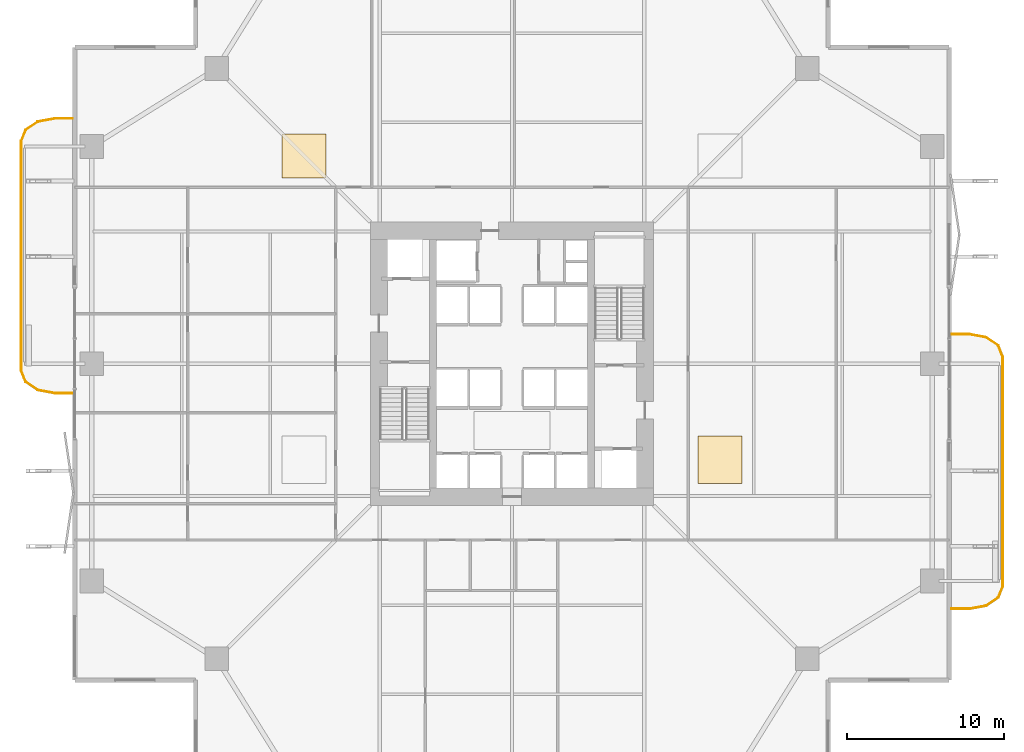
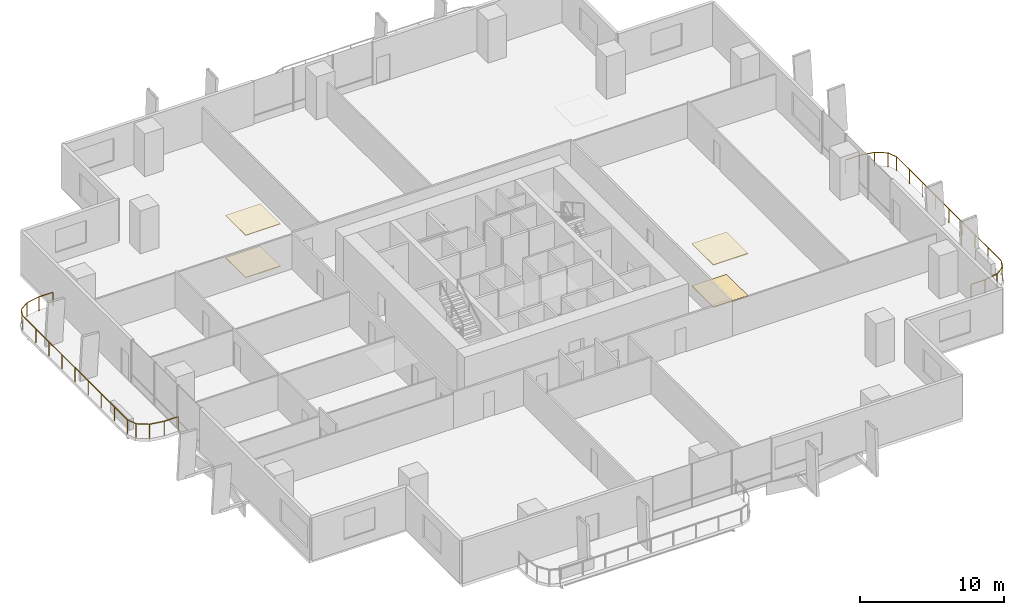
# One storey, part 22 of 23: 4 coverings, 2 railings.
"""IFC4 building model written with IfcOpenShell, lengths in metres."""

from ifc_helpers import new_model, si_unit, direction, frame, origin, origin_2d, place, context, subcontext, project, spatial, polyline, rectangle, outline, extrude, material, layer, layer_set, type_object, element, save


model = new_model("IFC4")

# Units and contexts
model_context = context("Model", 3, precision=1e-05, world=origin(), true_north=direction((0.0, 1.0)))
body_context = subcontext(model_context, "Body", "Model", "MODEL_VIEW")
ifc_project = project(units=[si_unit("LENGTHUNIT", "METRE"), si_unit("AREAUNIT", "SQUARE_METRE"), si_unit("VOLUMEUNIT", "CUBIC_METRE"), si_unit("PLANEANGLEUNIT", "RADIAN"), si_unit("MASSUNIT", "GRAM", prefix="KILO")], contexts=[model_context])

# Site, building, storey
site_placement = place(None, origin())
site = spatial("IfcSite", under=ifc_project, at=site_placement, CompositionType="ELEMENT")
building_placement = place(site_placement, origin())
building = spatial("IfcBuilding", under=site, at=building_placement, Name="Belovzor Exchange Tower", CompositionType="ELEMENT")
storey_placement = place(building_placement, frame((0.0, 0.0, 53.39990234375)))
storey = spatial("IfcBuildingStorey", under=building, at=storey_placement, Name="L12", CompositionType="ELEMENT", Elevation=53.39990234375)

# Railings
ifc_material_1 = material(Name="Stainless Steel and Laminated Safety Glass", Category="steel")
railing_type = type_object("IfcRailingType", Name="Laminated Glass & Stainless Steel Balcony Balustrade 1200", PredefinedType="BALUSTRADE", material=ifc_material_1)
railing_1_placement = place(storey_placement, frame((56.7099609375, 13.22998046875, 0.0)))
element("IfcRailing", 1, at=railing_1_placement, inside=storey, type_object=railing_type, Name="GR-1 Balcony Balustrade L12 East", PredefinedType="BALUSTRADE", context=body_context, shape_type="SweptSolid", body=[
    extrude(rectangle(XDim=0.048095703125, YDim=0.048095703125, at=origin_2d()), frame((0.0, 0.0, 1.17578125), z_axis=(1.0, 0.0, 0.0), x_axis=(0.0, 1.0, 0.0)), (0.0, 0.0, 1.0), 1.133056640625),
    extrude(rectangle(XDim=0.048095703125, YDim=0.048095703125, at=origin_2d()), frame((1.133056640625, 0.0, 1.17578125), z_axis=(0.983644145941, 0.180122719713, 0.0), x_axis=(-0.180122719713, 0.983644145941, 0.0)), (0.0, 0.0, 1.0), 1.09375),
    extrude(rectangle(XDim=0.048095703125, YDim=0.048095703125, at=origin_2d()), frame((2.208984375, 0.197021484375, 1.17578125), z_axis=(0.826614792125, 0.562768145367, 0.0), x_axis=(-0.562768145367, 0.826614792125, 0.0)), (0.0, 0.0, 1.0), 0.9326171875),
    extrude(rectangle(XDim=0.048095703125, YDim=0.048095703125, at=origin_2d()), frame((2.97998046875, 0.721923828125, 1.17578125), z_axis=(0.365504480807, 0.930809580156, 0.0), x_axis=(-0.930809580156, 0.365504480807, 0.0)), (0.0, 0.0, 1.0), 0.76611328125),
    extrude(rectangle(XDim=0.048095703125, YDim=0.048095703125, at=origin_2d()), frame((3.260009765625, 1.43505859375, 1.17578125), z_axis=(0.0, 1.0, 0.0), x_axis=(-1.0, 0.0, 0.0)), (0.0, 0.0, 1.0), 14.570068359375),
    extrude(rectangle(XDim=0.048095703125, YDim=0.048095703125, at=origin_2d()), frame((3.260009765625, 16.005126953125, 1.17578125), z_axis=(-0.365612923861, 0.930766990125, 0.0), x_axis=(-0.930766990125, -0.365612923861, 0.0)), (0.0, 0.0, 1.0), 0.765869140625),
    extrude(rectangle(XDim=0.048095703125, YDim=0.048095703125, at=origin_2d()), frame((2.97998046875, 16.718017578125, 1.17578125), z_axis=(-0.826614792125, 0.562768145367, 0.0), x_axis=(-0.562768145367, -0.826614792125, 0.0)), (0.0, 0.0, 1.0), 0.9326171875),
    extrude(rectangle(XDim=0.048095703125, YDim=0.048095703125, at=origin_2d()), frame((2.208984375, 17.242919921875, 1.17578125), z_axis=(-0.983644145941, 0.180122719713, 0.0), x_axis=(-0.180122719713, -0.983644145941, 0.0)), (0.0, 0.0, 1.0), 1.09375),
    extrude(rectangle(XDim=0.048095703125, YDim=0.048095703125, at=origin_2d()), frame((1.133056640625, 17.43994140625, 1.17578125), z_axis=(-1.0, 0.0, 0.0), x_axis=(0.0, -1.0, 0.0)), (0.0, 0.0, 1.0), 1.133056640625),
    extrude(rectangle(XDim=0.0419921875, YDim=0.0419921875, at=origin_2d()), origin(), (0.0, 0.0, 1.0), 1.15185546875),
    extrude(rectangle(XDim=0.0419921875, YDim=0.0419921875, at=origin_2d()), frame((1.133056640625, 0.0, 0.0)), (0.0, 0.0, 1.0), 1.15185546875),
    extrude(rectangle(XDim=0.0419921875, YDim=0.0419921875, at=origin_2d()), frame((2.208984375, 0.197021484375, 0.0)), (0.0, 0.0, 1.0), 1.15185546875),
    extrude(rectangle(XDim=0.0419921875, YDim=0.0419921875, at=origin_2d()), frame((2.97998046875, 0.721923828125, 0.0)), (0.0, 0.0, 1.0), 1.15185546875),
    extrude(rectangle(XDim=0.0419921875, YDim=0.0419921875, at=origin_2d()), frame((3.260009765625, 1.43505859375, 0.0)), (0.0, 0.0, 1.0), 1.15185546875),
    extrude(rectangle(XDim=0.0419921875, YDim=0.0419921875, at=origin_2d()), frame((3.260009765625, 3.25634765625, 0.0)), (0.0, 0.0, 1.0), 1.15185546875),
    extrude(rectangle(XDim=0.0419921875, YDim=0.0419921875, at=origin_2d()), frame((3.260009765625, 5.07763671875, 0.0)), (0.0, 0.0, 1.0), 1.15185546875),
    extrude(rectangle(XDim=0.0419921875, YDim=0.0419921875, at=origin_2d()), frame((3.260009765625, 6.89892578125, 0.0)), (0.0, 0.0, 1.0), 1.15185546875),
    extrude(rectangle(XDim=0.0419921875, YDim=0.0419921875, at=origin_2d()), frame((3.260009765625, 8.72021484375, 0.0)), (0.0, 0.0, 1.0), 1.15185546875),
    extrude(rectangle(XDim=0.0419921875, YDim=0.0419921875, at=origin_2d()), frame((3.260009765625, 10.541259765625, 0.0)), (0.0, 0.0, 1.0), 1.15185546875),
    extrude(rectangle(XDim=0.0419921875, YDim=0.0419921875, at=origin_2d()), frame((3.260009765625, 12.362548828125, 0.0)), (0.0, 0.0, 1.0), 1.15185546875),
    extrude(rectangle(XDim=0.0419921875, YDim=0.0419921875, at=origin_2d()), frame((3.260009765625, 14.183837890625, 0.0)), (0.0, 0.0, 1.0), 1.15185546875),
    extrude(rectangle(XDim=0.0419921875, YDim=0.0419921875, at=origin_2d()), frame((3.260009765625, 16.005126953125, 0.0)), (0.0, 0.0, 1.0), 1.15185546875),
    extrude(rectangle(XDim=0.0419921875, YDim=0.0419921875, at=origin_2d()), frame((2.97998046875, 16.718017578125, 0.0)), (0.0, 0.0, 1.0), 1.15185546875),
    extrude(rectangle(XDim=0.0419921875, YDim=0.0419921875, at=origin_2d()), frame((2.208984375, 17.242919921875, 0.0)), (0.0, 0.0, 1.0), 1.15185546875),
    extrude(rectangle(XDim=0.0419921875, YDim=0.0419921875, at=origin_2d()), frame((1.133056640625, 17.43994140625, 0.0)), (0.0, 0.0, 1.0), 1.15185546875),
    extrude(rectangle(XDim=0.0419921875, YDim=0.0419921875, at=origin_2d()), frame((0.0, 17.43994140625, 0.0)), (0.0, 0.0, 1.0), 1.15185546875),
])
railing_2_placement = place(storey_placement, frame((0.889892578125, 44.3701171875, 0.0)))
element("IfcRailing", 2, at=railing_2_placement, inside=storey, type_object=railing_type, Name="GR-1 Balcony Balustrade L12 West", PredefinedType="BALUSTRADE", context=body_context, shape_type="SweptSolid", body=[
    extrude(rectangle(XDim=0.048095703125, YDim=0.048095703125, at=origin_2d()), frame((0.0, 0.0, 1.17578125), z_axis=(-1.0, 0.0, 0.0), x_axis=(0.0, -1.0, 0.0)), (0.0, 0.0, 1.0), 1.1328125),
    extrude(rectangle(XDim=0.048095703125, YDim=0.048095703125, at=origin_2d()), frame((-1.1328125, 0.0, 1.17578125), z_axis=(-0.983651385113, -0.180083182347, 0.0), x_axis=(0.180083182347, -0.983651385113, 0.0)), (0.0, 0.0, 1.0), 1.093994140625),
    extrude(rectangle(XDim=0.048095703125, YDim=0.048095703125, at=origin_2d()), frame((-2.208984375, -0.197021484375, 1.17578125), z_axis=(-0.826493025367, -0.56294695933, 0.0), x_axis=(0.56294695933, -0.826493025367, 0.0)), (0.0, 0.0, 1.0), 0.932861328125),
    extrude(rectangle(XDim=0.048095703125, YDim=0.048095703125, at=origin_2d()), frame((-2.97998046875, -0.72216796875, 1.17578125), z_axis=(-0.365612923861, -0.930766990125, 0.0), x_axis=(0.930766990125, -0.365612923861, 0.0)), (0.0, 0.0, 1.0), 0.765869140625),
    extrude(rectangle(XDim=0.048095703125, YDim=0.048095703125, at=origin_2d()), frame((-3.260009765625, -1.43505859375, 1.17578125), z_axis=(0.0, -1.0, 0.0), x_axis=(1.0, 0.0, 0.0)), (0.0, 0.0, 1.0), 14.570068359375),
    extrude(rectangle(XDim=0.048095703125, YDim=0.048095703125, at=origin_2d()), frame((-3.260009765625, -16.005126953125, 1.17578125), z_axis=(0.365612923861, -0.930766990125, 0.0), x_axis=(0.930766990125, 0.365612923861, 0.0)), (0.0, 0.0, 1.0), 0.765869140625),
    extrude(rectangle(XDim=0.048095703125, YDim=0.048095703125, at=origin_2d()), frame((-2.97998046875, -16.718017578125, 1.17578125), z_axis=(0.826493025367, -0.56294695933, 0.0), x_axis=(0.56294695933, 0.826493025367, 0.0)), (0.0, 0.0, 1.0), 0.932861328125),
    extrude(rectangle(XDim=0.048095703125, YDim=0.048095703125, at=origin_2d()), frame((-2.208984375, -17.2431640625, 1.17578125), z_axis=(0.983651385113, -0.180083182347, 0.0), x_axis=(0.180083182347, 0.983651385113, 0.0)), (0.0, 0.0, 1.0), 1.093994140625),
    extrude(rectangle(XDim=0.048095703125, YDim=0.048095703125, at=origin_2d()), frame((-1.1328125, -17.440185546875, 1.17578125), z_axis=(1.0, 0.0, 0.0), x_axis=(0.0, 1.0, 0.0)), (0.0, 0.0, 1.0), 1.1328125),
    extrude(rectangle(XDim=0.0419921875, YDim=0.0419921875, at=origin_2d()), origin(), (0.0, 0.0, 1.0), 1.15185546875),
    extrude(rectangle(XDim=0.0419921875, YDim=0.0419921875, at=origin_2d()), frame((-1.1328125, 0.0, 0.0)), (0.0, 0.0, 1.0), 1.15185546875),
    extrude(rectangle(XDim=0.0419921875, YDim=0.0419921875, at=origin_2d()), frame((-2.208984375, -0.197021484375, 0.0)), (0.0, 0.0, 1.0), 1.15185546875),
    extrude(rectangle(XDim=0.0419921875, YDim=0.0419921875, at=origin_2d()), frame((-2.97998046875, -0.72216796875, 0.0)), (0.0, 0.0, 1.0), 1.15185546875),
    extrude(rectangle(XDim=0.0419921875, YDim=0.0419921875, at=origin_2d()), frame((-3.260009765625, -1.43505859375, 0.0)), (0.0, 0.0, 1.0), 1.15185546875),
    extrude(rectangle(XDim=0.0419921875, YDim=0.0419921875, at=origin_2d()), frame((-3.260009765625, -3.25634765625, 0.0)), (0.0, 0.0, 1.0), 1.15185546875),
    extrude(rectangle(XDim=0.0419921875, YDim=0.0419921875, at=origin_2d()), frame((-3.260009765625, -5.07763671875, 0.0)), (0.0, 0.0, 1.0), 1.15185546875),
    extrude(rectangle(XDim=0.0419921875, YDim=0.0419921875, at=origin_2d()), frame((-3.260009765625, -6.89892578125, 0.0)), (0.0, 0.0, 1.0), 1.15185546875),
    extrude(rectangle(XDim=0.0419921875, YDim=0.0419921875, at=origin_2d()), frame((-3.260009765625, -8.72021484375, 0.0)), (0.0, 0.0, 1.0), 1.15185546875),
    extrude(rectangle(XDim=0.0419921875, YDim=0.0419921875, at=origin_2d()), frame((-3.260009765625, -10.541259765625, 0.0)), (0.0, 0.0, 1.0), 1.15185546875),
    extrude(rectangle(XDim=0.0419921875, YDim=0.0419921875, at=origin_2d()), frame((-3.260009765625, -12.362548828125, 0.0)), (0.0, 0.0, 1.0), 1.15185546875),
    extrude(rectangle(XDim=0.0419921875, YDim=0.0419921875, at=origin_2d()), frame((-3.260009765625, -14.183837890625, 0.0)), (0.0, 0.0, 1.0), 1.15185546875),
    extrude(rectangle(XDim=0.0419921875, YDim=0.0419921875, at=origin_2d()), frame((-3.260009765625, -16.005126953125, 0.0)), (0.0, 0.0, 1.0), 1.15185546875),
    extrude(rectangle(XDim=0.0419921875, YDim=0.0419921875, at=origin_2d()), frame((-2.97998046875, -16.718017578125, 0.0)), (0.0, 0.0, 1.0), 1.15185546875),
    extrude(rectangle(XDim=0.0419921875, YDim=0.0419921875, at=origin_2d()), frame((-2.208984375, -17.2431640625, 0.0)), (0.0, 0.0, 1.0), 1.15185546875),
    extrude(rectangle(XDim=0.0419921875, YDim=0.0419921875, at=origin_2d()), frame((-1.1328125, -17.440185546875, 0.0)), (0.0, 0.0, 1.0), 1.15185546875),
    extrude(rectangle(XDim=0.0419921875, YDim=0.0419921875, at=origin_2d()), frame((0.0, -17.440185546875, 0.0)), (0.0, 0.0, 1.0), 1.15185546875),
])

# Coverings
ifc_material_2 = material(Name="Perforated Powder-Coated Aluminium", Category="aluminium")
ifc_layer_1 = layer(ifc_material_2, 0.06005859375)
ifc_layer_set_1 = layer_set([ifc_layer_1], Name="Perforated Powder-Coated Aluminium")
covering_type_1 = type_object("IfcCoveringType", Name="Perforated Acoustic Metal Tile Suspended Ceiling 60", PredefinedType="CEILING", material=ifc_layer_set_1)
covering_1_placement = place(storey_placement, frame((0.0, 0.0, 3.590087890625)))
element("IfcCovering", 3, at=covering_1_placement, inside=storey, type_object=covering_type_1, Name="CLG-AC60 Suspended Ceiling CLG-L12-Z0", PredefinedType="CEILING", context=body_context, shape_type="SweptSolid", body=[
    extrude(outline(polyline([(40.60009765625, 21.199951171875), (43.39990234375, 21.199951171875), (43.39990234375, 24.199951171875), (40.60009765625, 24.199951171875), (40.60009765625, 21.199951171875)])), origin(), (0.0, 0.0, 1.0), 0.06005859375),
])
covering_2_placement = place(storey_placement, frame((0.0, 0.0, 3.590087890625)))
element("IfcCovering", 4, at=covering_2_placement, inside=storey, type_object=covering_type_1, Name="CLG-AC60 Suspended Ceiling CLG-L12-Z2", PredefinedType="CEILING", context=body_context, shape_type="SweptSolid", body=[
    extrude(outline(polyline([(14.199951171875, 40.60009765625), (17.0, 40.60009765625), (17.0, 43.39990234375), (14.199951171875, 43.39990234375), (14.199951171875, 40.60009765625)])), origin(), (0.0, 0.0, 1.0), 0.06005859375),
])
ifc_material_3 = material(Name="Polished Natural Granite Tile", Category="masonry")
ifc_layer_2 = layer(ifc_material_3, 0.050048828125)
ifc_layer_set_2 = layer_set([ifc_layer_2], Name="Polished Natural Granite Tile")
covering_type_2 = type_object("IfcCoveringType", Name="Polished Karelian Granite & Raised Access Floor Finish 50", PredefinedType="FLOORING", material=ifc_layer_set_2)
covering_3_placement = place(storey_placement, origin())
element("IfcCovering", 5, at=covering_3_placement, inside=storey, type_object=covering_type_2, Name="FLR-GR50 Floor Finish FLR-L12-Z0", PredefinedType="FLOORING", context=body_context, shape_type="SweptSolid", body=[
    extrude(outline(polyline([(40.60009765625, 21.199951171875), (43.39990234375, 21.199951171875), (43.39990234375, 24.199951171875), (40.60009765625, 24.199951171875), (40.60009765625, 21.199951171875)])), origin(), (0.0, 0.0, 1.0), 0.050048828125),
])
covering_4_placement = place(storey_placement, origin())
element("IfcCovering", 6, at=covering_4_placement, inside=storey, type_object=covering_type_2, Name="FLR-GR50 Floor Finish FLR-L12-Z2", PredefinedType="FLOORING", context=body_context, shape_type="SweptSolid", body=[
    extrude(outline(polyline([(14.199951171875, 40.60009765625), (17.0, 40.60009765625), (17.0, 43.39990234375), (14.199951171875, 43.39990234375), (14.199951171875, 40.60009765625)])), origin(), (0.0, 0.0, 1.0), 0.050048828125),
])

save(model, "model.ifc")
